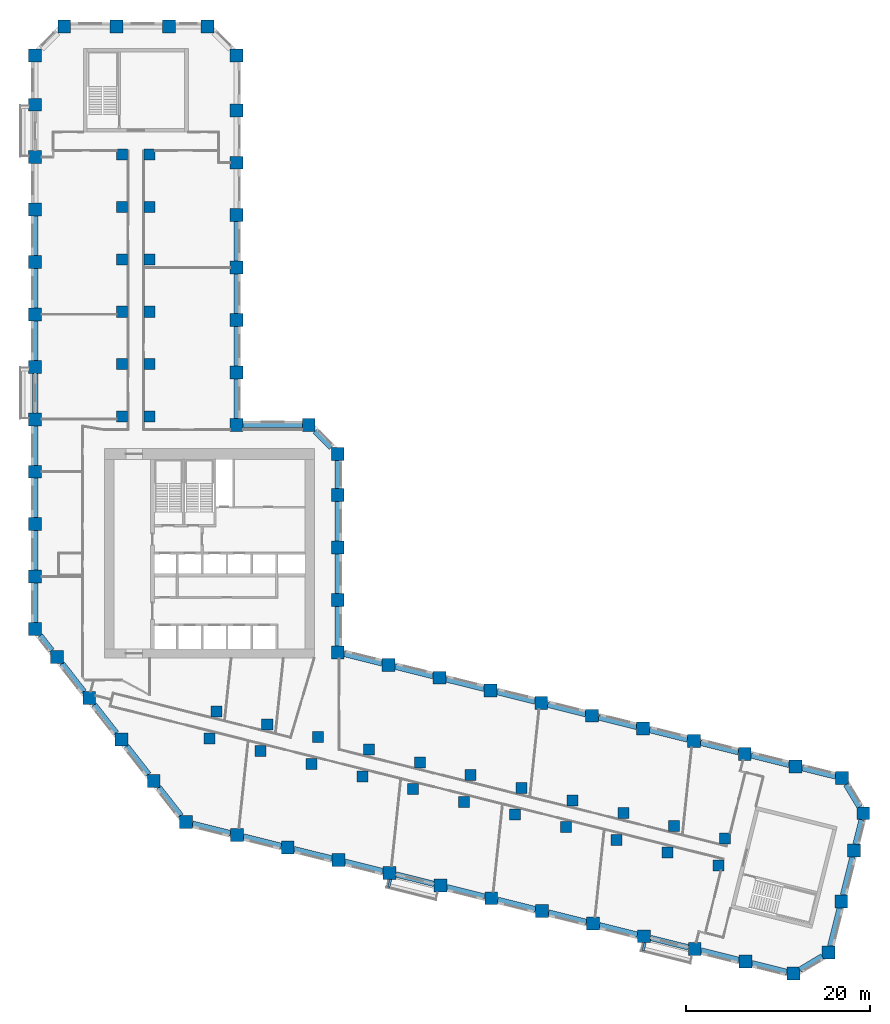
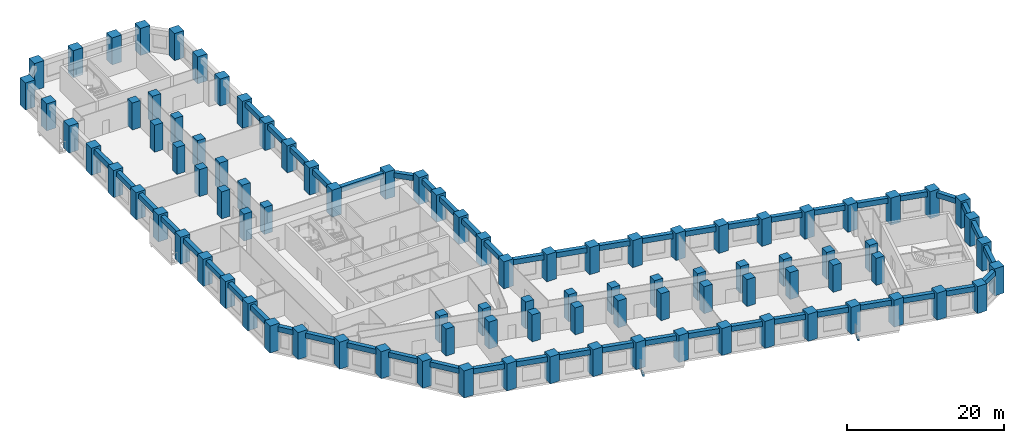
# One storey, part 1 of 11: 95 columns, 52 beams.
"""IFC4 building model written with IfcOpenShell, lengths in metres."""

from ifc_helpers import new_model, si_unit, direction, frame, origin, origin_2d, place, context, subcontext, project, spatial, rectangle, extrude, material, material_profile, profile_set, type_object, element, save


model = new_model("IFC4")

# Units and contexts
model_context = context("Model", 3, precision=1e-05, world=origin(), true_north=direction((0.0, 1.0)))
body_context = subcontext(model_context, "Body", "Model", "MODEL_VIEW")
ifc_project = project(units=[si_unit("LENGTHUNIT", "METRE"), si_unit("AREAUNIT", "SQUARE_METRE"), si_unit("VOLUMEUNIT", "CUBIC_METRE"), si_unit("PLANEANGLEUNIT", "RADIAN"), si_unit("MASSUNIT", "GRAM", prefix="KILO")], contexts=[model_context])

# Site, building, storey
site_placement = place(None, origin())
site = spatial("IfcSite", under=ifc_project, at=site_placement, CompositionType="ELEMENT")
building_placement = place(site_placement, origin())
building = spatial("IfcBuilding", under=site, at=building_placement, Name="Meshkara Civic Tower", CompositionType="ELEMENT")
storey_placement = place(building_placement, frame((0.0, 0.0, 45.60009765625)))
storey = spatial("IfcBuildingStorey", under=building, at=storey_placement, Name="L09", CompositionType="ELEMENT", Elevation=45.60009765625)

# Columns
ifc_material_1 = material(Name="Concrete C80", Category="concrete")
ifc_material_profile_1 = material_profile(ifc_material_1, rectangle(XDim=1.199951171875, YDim=1.199951171875, at=origin_2d()))
ifc_profile_set_1 = profile_set([ifc_material_profile_1], Name="Concrete C80")
column_type_1 = type_object("IfcColumnType", Name="Interior column RC 1200x1200 C80", PredefinedType="COLUMN", material=ifc_profile_set_1)
for number, where, z_axis, x_axis, name in (
    (1, (9.89990234375, 40.35009765625, 0.0), (0.0, 0.0, 1.0), (1.0, 0.0, 0.0), "Column SA1-04 L09"),
    (2, (9.89990234375, 46.050048828125, 0.0), (0.0, 0.0, 1.0), (1.0, 0.0, 0.0), "Column SA1-05 L09"),
    (3, (9.89990234375, 51.75, 0.0), (0.0, 0.0, 1.0), (1.0, 0.0, 0.0), "Column SA1-06 L09"),
    (4, (9.89990234375, 57.449951171875, 0.0), (0.0, 0.0, 1.0), (1.0, 0.0, 0.0), "Column SA1-07 L09"),
    (5, (9.89990234375, 63.14990234375, 0.0), (0.0, 0.0, 1.0), (1.0, 0.0, 0.0), "Column SA1-08 L09"),
    (6, (9.89990234375, 68.85009765625, 0.0), (0.0, 0.0, 1.0), (1.0, 0.0, 0.0), "Column SA1-09 L09"),
    (7, (12.89990234375, 40.35009765625, 0.0), (0.0, 0.0, 1.0), (1.0, 0.0, 0.0), "Column SA2-04 L09"),
    (8, (12.89990234375, 46.050048828125, 0.0), (0.0, 0.0, 1.0), (1.0, 0.0, 0.0), "Column SA2-05 L09"),
    (9, (12.89990234375, 51.75, 0.0), (0.0, 0.0, 1.0), (1.0, 0.0, 0.0), "Column SA2-06 L09"),
    (10, (12.89990234375, 57.449951171875, 0.0), (0.0, 0.0, 1.0), (1.0, 0.0, 0.0), "Column SA2-07 L09"),
    (11, (12.89990234375, 63.14990234375, 0.0), (0.0, 0.0, 1.0), (1.0, 0.0, 0.0), "Column SA2-08 L09"),
    (12, (12.89990234375, 68.85009765625, 0.0), (0.0, 0.0, 1.0), (1.0, 0.0, 0.0), "Column SA2-09 L09"),
    (13, (19.424072265625, 5.360107421875, 0.0), (0.0, 0.0, 1.0), (1.0, 0.0, 0.0), "Column SB1-00 L09"),
    (14, (24.9541015625, 3.98095703125, 0.0), (0.0, 0.0, 1.0), (1.0, 0.0, 0.0), "Column SB1-01 L09"),
    (15, (30.485107421875, 2.60205078125, 0.0), (0.0, 0.0, 1.0), (1.0, 0.0, 0.0), "Column SB1-02 L09"),
    (16, (36.01611328125, 1.222900390625, 0.0), (0.0, 0.0, 1.0), (1.0, 0.0, 0.0), "Column SB1-03 L09"),
    (17, (41.5458984375, -0.156005859375, 0.0), (0.0, 0.0, 1.0), (1.0, 0.0, 0.0), "Column SB1-04 L09"),
    (18, (47.076904296875, -1.534912109375, 0.0), (0.0, 0.0, 1.0), (1.0, 0.0, 0.0), "Column SB1-05 L09"),
    (19, (52.60791015625, -2.9140625, 0.0), (0.0, 0.0, 1.0), (1.0, 0.0, 0.0), "Column SB1-06 L09"),
    (20, (58.138916015625, -4.2919921875, 0.0), (0.0, 0.0, 1.0), (1.0, 0.0, 0.0), "Column SB1-07 L09"),
    (21, (63.6689453125, -5.6708984375, 0.0), (0.0, 0.0, 1.0), (1.0, 0.0, 0.0), "Column SB1-08 L09"),
    (22, (69.199951171875, -7.050048828125, 0.0), (0.0, 0.0, 1.0), (1.0, 0.0, 0.0), "Column SB1-09 L09"),
    (23, (74.73095703125, -8.428955078125, 0.0), (0.0, 0.0, 1.0), (1.0, 0.0, 0.0), "Column SB1-10 L09"),
    (24, (20.14892578125, 8.27099609375, 0.0), (0.0, 0.0, 1.0), (1.0, 0.0, 0.0), "Column SB2-00 L09"),
    (25, (25.679931640625, 6.89208984375, 0.0), (0.0, 0.0, 1.0), (1.0, 0.0, 0.0), "Column SB2-01 L09"),
    (26, (31.2109375, 5.512939453125, 0.0), (0.0, 0.0, 1.0), (1.0, 0.0, 0.0), "Column SB2-02 L09"),
    (27, (36.741943359375, 4.134033203125, 0.0), (0.0, 0.0, 1.0), (1.0, 0.0, 0.0), "Column SB2-03 L09"),
    (28, (42.27197265625, 2.7548828125, 0.0), (0.0, 0.0, 1.0), (1.0, 0.0, 0.0), "Column SB2-04 L09"),
    (29, (47.802978515625, 1.3759765625, 0.0), (0.0, 0.0, 1.0), (1.0, 0.0, 0.0), "Column SB2-05 L09"),
    (30, (53.333984375, -0.0029296875, 0.0), (0.0, 0.0, 1.0), (1.0, 0.0, 0.0), "Column SB2-06 L09"),
    (31, (58.864013671875, -1.382080078125, 0.0), (0.0, 0.0, 1.0), (1.0, 0.0, 0.0), "Column SB2-07 L09"),
    (32, (64.39501953125, -2.760986328125, 0.0), (0.0, 0.0, 1.0), (1.0, 0.0, 0.0), "Column SB2-08 L09"),
    (33, (69.926025390625, -4.139892578125, 0.0), (0.0, 0.0, 1.0), (1.0, 0.0, 0.0), "Column SB2-09 L09"),
    (34, (75.4560546875, -5.51806640625, 0.0), (0.0, 0.0, 1.0), (1.0, 0.0, 0.0), "Column SB2-10 L09"),
):
    element("IfcColumn", number, at=place(storey_placement, frame(where, z_axis=z_axis, x_axis=x_axis)), inside=storey, type_object=column_type_1, Name=name, PredefinedType="COLUMN", context=body_context, shape_type="SweptSolid", body=[
        extrude(rectangle(XDim=1.199951171875, YDim=1.199951171875, at=origin_2d()), origin(), (0.0, 0.0, 1.0), 4.199951171875),
    ])
ifc_material_2 = material(Name="Concrete C80", Category="concrete")
ifc_material_profile_2 = material_profile(ifc_material_2, rectangle(XDim=1.39990234375, YDim=1.39990234375, at=origin_2d()))
ifc_profile_set_2 = profile_set([ifc_material_profile_2], Name="Concrete C80")
column_type_2 = type_object("IfcColumnType", Name="Perimeter column RC 1400x1400 C80", PredefinedType="COLUMN", material=ifc_profile_set_2)
for number, where, z_axis, x_axis, name in (
    (35, (33.35009765625, 14.718994140625, 0.0), (0.0, 0.0, 1.0), (1.0, 0.0, 0.0), "Column HE00 L09"),
    (36, (33.35009765625, 20.4189453125, 0.0), (0.0, 0.0, 1.0), (1.0, 0.0, 0.0), "Column HE01 L09"),
    (37, (33.35009765625, 26.118896484375, 0.0), (0.0, 0.0, 1.0), (1.0, 0.0, 0.0), "Column HE02 L09"),
    (38, (33.35009765625, 31.819091796875, 0.0), (0.0, 0.0, 1.0), (1.0, 0.0, 0.0), "Column HE03 L09"),
    (39, (33.35009765625, 36.2939453125, 0.0), (0.0, 0.0, 1.0), (1.0, 0.0, 0.0), "Column HEE L09"),
    (40, (30.194091796875, 39.449951171875, 0.0), (0.0, 0.0, 1.0), (1.0, 0.0, 0.0), "Column HCeE L09"),
    (41, (22.35009765625, 39.449951171875, 0.0), (0.0, 0.0, 1.0), (1.0, 0.0, 0.0), "Column HN00 L09"),
    (42, (22.35009765625, 45.14990234375, 0.0), (0.0, 0.0, 1.0), (1.0, 0.0, 0.0), "Column AE01 L09"),
    (43, (22.35009765625, 50.85009765625, 0.0), (0.0, 0.0, 1.0), (1.0, 0.0, 0.0), "Column AE02 L09"),
    (44, (22.35009765625, 56.550048828125, 0.0), (0.0, 0.0, 1.0), (1.0, 0.0, 0.0), "Column AE03 L09"),
    (45, (22.35009765625, 62.25, 0.0), (0.0, 0.0, 1.0), (1.0, 0.0, 0.0), "Column AE04 L09"),
    (46, (22.35009765625, 67.949951171875, 0.0), (0.0, 0.0, 1.0), (1.0, 0.0, 0.0), "Column AE05 L09"),
    (47, (22.35009765625, 73.64990234375, 0.0), (0.0, 0.0, 1.0), (1.0, 0.0, 0.0), "Column AE06 L09"),
    (48, (22.35009765625, 79.614013671875, 0.0), (0.0, 0.0, 1.0), (1.0, 0.0, 0.0), "Column AEE L09"),
    (49, (19.194091796875, 82.77001953125, 0.0), (0.0, 0.0, 1.0), (1.0, 0.0, 0.0), "Column ATiE L09"),
    (50, (3.60595703125, 82.77001953125, 0.0), (0.0, 0.0, 1.0), (1.0, 0.0, 0.0), "Column AT00 L09"),
    (51, (9.305908203125, 82.77001953125, 0.0), (0.0, 0.0, 1.0), (1.0, 0.0, 0.0), "Column AT01 L09"),
    (52, (15.006103515625, 82.77001953125, 0.0), (0.0, 0.0, 1.0), (1.0, 0.0, 0.0), "Column AT02 L09"),
    (53, (0.449951171875, 79.614013671875, 0.0), (0.0, 0.0, 1.0), (1.0, 0.0, 0.0), "Column ATo00 L09"),
    (54, (0.449951171875, 17.2548828125, 0.0), (0.0, 0.0, 1.0), (1.0, 0.0, 0.0), "Column AW00 L09"),
    (55, (0.449951171875, 22.955078125, 0.0), (0.0, 0.0, 1.0), (1.0, 0.0, 0.0), "Column AW01 L09"),
    (56, (0.449951171875, 28.655029296875, 0.0), (0.0, 0.0, 1.0), (1.0, 0.0, 0.0), "Column AW02 L09"),
    (57, (0.449951171875, 34.35498046875, 0.0), (0.0, 0.0, 1.0), (1.0, 0.0, 0.0), "Column AW03 L09"),
    (58, (0.449951171875, 40.054931640625, 0.0), (0.0, 0.0, 1.0), (1.0, 0.0, 0.0), "Column AW04 L09"),
    (59, (0.449951171875, 45.7548828125, 0.0), (0.0, 0.0, 1.0), (1.0, 0.0, 0.0), "Column AW05 L09"),
    (60, (0.449951171875, 51.455078125, 0.0), (0.0, 0.0, 1.0), (1.0, 0.0, 0.0), "Column AW06 L09"),
    (61, (0.449951171875, 57.155029296875, 0.0), (0.0, 0.0, 1.0), (1.0, 0.0, 0.0), "Column AW07 L09"),
    (62, (0.449951171875, 62.85498046875, 0.0), (0.0, 0.0, 1.0), (1.0, 0.0, 0.0), "Column AW08 L09"),
    (63, (0.449951171875, 68.554931640625, 0.0), (0.0, 0.0, 1.0), (1.0, 0.0, 0.0), "Column AW09 L09"),
    (64, (0.449951171875, 74.2548828125, 0.0), (0.0, 0.0, 1.0), (1.0, 0.0, 0.0), "Column AW10 L09"),
    (65, (16.85107421875, -3.738037109375, 0.0), (0.0, 0.0, 1.0), (1.0, 0.0, 0.0), "Column BOW00 L09"),
    (66, (13.342041015625, 0.75390625, 0.0), (0.0, 0.0, 1.0), (1.0, 0.0, 0.0), "Column BOW01 L09"),
    (67, (9.8330078125, 5.2451171875, 0.0), (0.0, 0.0, 1.0), (1.0, 0.0, 0.0), "Column BOW02 L09"),
    (68, (6.322998046875, 9.737060546875, 0.0), (0.0, 0.0, 1.0), (1.0, 0.0, 0.0), "Column BOW03 L09"),
    (69, (2.81396484375, 14.22900390625, 0.0), (0.0, 0.0, 1.0), (1.0, 0.0, 0.0), "Column BOW04 L09"),
    (70, (22.382080078125, -5.116943359375, 0.0), (0.0, 0.0, 1.0), (1.0, 0.0, 0.0), "Column BS01 L09"),
    (71, (27.912109375, -6.49609375, 0.0), (0.0, 0.0, 1.0), (1.0, 0.0, 0.0), "Column BS02 L09"),
    (72, (33.443115234375, -7.875, 0.0), (0.0, 0.0, 1.0), (1.0, 0.0, 0.0), "Column BS03 L09"),
    (73, (38.97412109375, -9.25390625, 0.0), (0.0, 0.0, 1.0), (1.0, 0.0, 0.0), "Column BS04 L09"),
    (74, (44.5048828125, -10.632080078125, 0.0), (0.0, 0.0, 1.0), (1.0, 0.0, 0.0), "Column BS05 L09"),
    (75, (50.034912109375, -12.010986328125, 0.0), (0.0, 0.0, 1.0), (1.0, 0.0, 0.0), "Column BS06 L09"),
    (76, (55.56591796875, -13.389892578125, 0.0), (0.0, 0.0, 1.0), (1.0, 0.0, 0.0), "Column BS07 L09"),
    (77, (61.096923828125, -14.76904296875, 0.0), (0.0, 0.0, 1.0), (1.0, 0.0, 0.0), "Column BS08 L09"),
    (78, (66.626953125, -16.14794921875, 0.0), (0.0, 0.0, 1.0), (1.0, 0.0, 0.0), "Column BS09 L09"),
    (79, (72.157958984375, -17.527099609375, 0.0), (0.0, 0.0, 1.0), (1.0, 0.0, 0.0), "Column BS10 L09"),
    (80, (77.68896484375, -18.906005859375, 0.0), (0.0, 0.0, 1.0), (1.0, 0.0, 0.0), "Column BS11 L09"),
    (81, (82.887939453125, -20.201904296875, 0.0), (0.0, 0.0, 1.0), (1.0, 0.0, 0.0), "Column BSE L09"),
    (82, (86.714111328125, -17.903076171875, 0.0), (0.0, 0.0, 1.0), (1.0, 0.0, 0.0), "Column BToE L09"),
    (83, (88.093017578125, -12.3720703125, 0.0), (0.0, 0.0, 1.0), (1.0, 0.0, 0.0), "Column BT01 L09"),
    (84, (89.471923828125, -6.842041015625, 0.0), (0.0, 0.0, 1.0), (1.0, 0.0, 0.0), "Column BT02 L09"),
    (85, (90.485107421875, -2.779052734375, 0.0), (0.0, 0.0, 1.0), (1.0, 0.0, 0.0), "Column BTE L09"),
    (86, (88.18603515625, 1.0458984375, 0.0), (0.0, 0.0, 1.0), (1.0, 0.0, 0.0), "Column BTi00 L09"),
    (87, (38.881103515625, 13.340087890625, 0.0), (0.0, 0.0, 1.0), (1.0, 0.0, 0.0), "Column BN01 L09"),
    (88, (44.410888671875, 11.9609375, 0.0), (0.0, 0.0, 1.0), (1.0, 0.0, 0.0), "Column BN02 L09"),
    (89, (49.94189453125, 10.58203125, 0.0), (0.0, 0.0, 1.0), (1.0, 0.0, 0.0), "Column BN03 L09"),
    (90, (55.472900390625, 9.202880859375, 0.0), (0.0, 0.0, 1.0), (1.0, 0.0, 0.0), "Column BN04 L09"),
    (91, (61.0029296875, 7.823974609375, 0.0), (0.0, 0.0, 1.0), (1.0, 0.0, 0.0), "Column BN05 L09"),
    (92, (66.533935546875, 6.445068359375, 0.0), (0.0, 0.0, 1.0), (1.0, 0.0, 0.0), "Column BN06 L09"),
    (93, (72.06494140625, 5.06591796875, 0.0), (0.0, 0.0, 1.0), (1.0, 0.0, 0.0), "Column BN07 L09"),
    (94, (77.594970703125, 3.68701171875, 0.0), (0.0, 0.0, 1.0), (1.0, 0.0, 0.0), "Column BN08 L09"),
    (95, (83.1259765625, 2.30810546875, 0.0), (0.0, 0.0, 1.0), (1.0, 0.0, 0.0), "Column BN09 L09"),
):
    element("IfcColumn", number, at=place(storey_placement, frame(where, z_axis=z_axis, x_axis=x_axis)), inside=storey, type_object=column_type_2, Name=name, PredefinedType="COLUMN", context=body_context, shape_type="SweptSolid", body=[
        extrude(rectangle(XDim=1.39990234375, YDim=1.39990234375, at=origin_2d()), origin(), (0.0, 0.0, 1.0), 4.199951171875),
    ])

# Beams
ifc_material_3 = material(Name="Concrete C50", Category="concrete")
ifc_material_profile_3 = material_profile(ifc_material_3, rectangle(XDim=0.25, YDim=0.39990234375, at=origin_2d()))
ifc_profile_set_3 = profile_set([ifc_material_profile_3], Name="Concrete C50")
beam_type_1 = type_object("IfcBeamType", Name="Balcony bracket beam RC 250x400 C50", PredefinedType="BEAM", material=ifc_profile_set_3)
beam_1_placement = place(storey_placement, frame((39.110107421875, -9.948974609375, -0.5), z_axis=(-0.242472373608, -0.970158310812, 0.0), x_axis=(0.970158310812, -0.242472373608, 0.0)))
element("IfcBeam", 96, at=beam_1_placement, inside=storey, type_object=beam_type_1, Name="Balcony bracket beam", PredefinedType="BEAM", context=body_context, shape_type="SweptSolid", body=[
    extrude(rectangle(XDim=0.25, YDim=0.39990234375, at=origin_2d()), origin(), (0.0, 0.0, 1.0), 0.908203125),
])
beam_2_placement = place(storey_placement, frame((66.762939453125, -16.843017578125, -0.5), z_axis=(-0.241966881417, -0.970284508944, 0.0), x_axis=(0.970284508944, -0.241966881417, 0.0)))
element("IfcBeam", 97, at=beam_2_placement, inside=storey, type_object=beam_type_1, Name="Balcony bracket beam", PredefinedType="BEAM", context=body_context, shape_type="SweptSolid", body=[
    extrude(rectangle(XDim=0.25, YDim=0.39990234375, at=origin_2d()), origin(), (0.0, 0.0, 1.0), 0.9091796875),
])
ifc_material_4 = material(Name="Concrete C70", Category="concrete")
ifc_material_profile_4 = material_profile(ifc_material_4, rectangle(XDim=0.60009765625, YDim=0.800048828125, at=origin_2d()))
ifc_profile_set_4 = profile_set([ifc_material_profile_4], Name="Concrete C70")
beam_type_2 = type_object("IfcBeamType", Name="Spandrel beam RC 600x800 C70", PredefinedType="BEAM", material=ifc_profile_set_4)
beam_3_placement = place(storey_placement, frame((82.430908203125, 2.481201171875, 3.5), z_axis=(-0.97029374225, 0.241929852955, 0.0), x_axis=(-0.241929852955, -0.97029374225, 0.0)))
element("IfcBeam", 98, at=beam_3_placement, inside=storey, type_object=beam_type_2, Name="Spandrel beam BN08-BN09", PredefinedType="BEAM", context=body_context, shape_type="SweptSolid", body=[
    extrude(rectangle(XDim=0.60009765625, YDim=0.800048828125, at=origin_2d()), origin(), (0.0, 0.0, 1.0), 4.267578125),
])
beam_4_placement = place(storey_placement, frame((76.89990234375, 3.8603515625, 3.5), z_axis=(-0.970293777887, 0.241929710026, 0.0), x_axis=(-0.241929710026, -0.970293777887, 0.0)))
element("IfcBeam", 99, at=beam_4_placement, inside=storey, type_object=beam_type_2, Name="Spandrel beam BN07-BN08", PredefinedType="BEAM", context=body_context, shape_type="SweptSolid", body=[
    extrude(rectangle(XDim=0.60009765625, YDim=0.800048828125, at=origin_2d()), origin(), (0.0, 0.0, 1.0), 4.2666015625),
])
for number, where, z_axis, x_axis, name in (
    (100, (71.369873046875, 5.2392578125, 3.5), (-0.97029374225, 0.241929852955, 0.0), (-0.241929852955, -0.97029374225, 0.0), "Spandrel beam BN06-BN07"),
    (101, (65.8388671875, 6.618408203125, 3.5), (-0.970307169965, 0.241875992843, 0.0), (-0.241875992843, -0.970307169965, 0.0), "Spandrel beam BN05-BN06"),
):
    element("IfcBeam", number, at=place(storey_placement, frame(where, z_axis=z_axis, x_axis=x_axis)), inside=storey, type_object=beam_type_2, Name=name, PredefinedType="BEAM", context=body_context, shape_type="SweptSolid", body=[
        extrude(rectangle(XDim=0.60009765625, YDim=0.800048828125, at=origin_2d()), origin(), (0.0, 0.0, 1.0), 4.267578125),
    ])
beam_5_placement = place(storey_placement, frame((60.307861328125, 7.997314453125, 3.5), z_axis=(-0.970276993533, 0.241997016139, 0.0), x_axis=(-0.241997016139, -0.970276993533, 0.0)))
element("IfcBeam", 102, at=beam_5_placement, inside=storey, type_object=beam_type_2, Name="Spandrel beam BN04-BN05", PredefinedType="BEAM", context=body_context, shape_type="SweptSolid", body=[
    extrude(rectangle(XDim=0.60009765625, YDim=0.800048828125, at=origin_2d()), origin(), (0.0, 0.0, 1.0), 4.266357421875),
])
for number, where, z_axis, x_axis, name in (
    (103, (54.77783203125, 9.376220703125, 3.5), (-0.970290393622, 0.241943282702, 0.0), (-0.241943282702, -0.970290393622, 0.0), "Spandrel beam BN03-BN04"),
    (104, (49.246826171875, 10.75537109375, 3.5), (-0.970303822782, 0.241889419972, 0.0), (-0.241889419972, -0.970303822782, 0.0), "Spandrel beam BN02-BN03"),
):
    element("IfcBeam", number, at=place(storey_placement, frame(where, z_axis=z_axis, x_axis=x_axis)), inside=storey, type_object=beam_type_2, Name=name, PredefinedType="BEAM", context=body_context, shape_type="SweptSolid", body=[
        extrude(rectangle(XDim=0.60009765625, YDim=0.800048828125, at=origin_2d()), origin(), (0.0, 0.0, 1.0), 4.267333984375),
    ])
beam_6_placement = place(storey_placement, frame((43.7158203125, 12.13427734375, 3.5), z_axis=(-0.970276993533, 0.241997016139, 0.0), x_axis=(-0.241997016139, -0.970276993533, 0.0)))
element("IfcBeam", 105, at=beam_6_placement, inside=storey, type_object=beam_type_2, Name="Spandrel beam BN01-BN02", PredefinedType="BEAM", context=body_context, shape_type="SweptSolid", body=[
    extrude(rectangle(XDim=0.60009765625, YDim=0.800048828125, at=origin_2d()), origin(), (0.0, 0.0, 1.0), 4.266357421875),
])
beam_7_placement = place(storey_placement, frame((38.185791015625, 13.51318359375, 3.5), z_axis=(-0.970290393622, 0.241943282702, 0.0), x_axis=(-0.241943282702, -0.970290393622, 0.0)))
element("IfcBeam", 106, at=beam_7_placement, inside=storey, type_object=beam_type_2, Name="Spandrel beam BN01-HE00", PredefinedType="BEAM", context=body_context, shape_type="SweptSolid", body=[
    extrude(rectangle(XDim=0.60009765625, YDim=0.800048828125, at=origin_2d()), origin(), (0.0, 0.0, 1.0), 4.267333984375),
])
for number, where, z_axis, x_axis, name in (
    (107, (33.35009765625, 15.4140625, 3.5), (0.0, 1.0, 0.0), (-1.0, 0.0, 0.0), "Spandrel beam HE00-HE01"),
    (108, (33.35009765625, 21.114013671875, 3.5), (0.0, 1.0, 0.0), (-1.0, 0.0, 0.0), "Spandrel beam HE01-HE02"),
    (109, (33.35009765625, 26.81396484375, 3.5), (0.0, 1.0, 0.0), (-1.0, 0.0, 0.0), "Spandrel beam HE02-HE03"),
):
    element("IfcBeam", number, at=place(storey_placement, frame(where, z_axis=z_axis, x_axis=x_axis)), inside=storey, type_object=beam_type_2, Name=name, PredefinedType="BEAM", context=body_context, shape_type="SweptSolid", body=[
        extrude(rectangle(XDim=0.60009765625, YDim=0.800048828125, at=origin_2d()), origin(), (0.0, 0.0, 1.0), 4.31005859375),
    ])
beam_8_placement = place(storey_placement, frame((33.35009765625, 32.513916015625, 3.5), z_axis=(0.0, 1.0, 0.0), x_axis=(-1.0, 0.0, 0.0)))
element("IfcBeam", 110, at=beam_8_placement, inside=storey, type_object=beam_type_2, Name="Spandrel beam HE03-HEE", PredefinedType="BEAM", context=body_context, shape_type="SweptSolid", body=[
    extrude(rectangle(XDim=0.60009765625, YDim=0.800048828125, at=origin_2d()), origin(), (0.0, 0.0, 1.0), 3.085205078125),
])
beam_9_placement = place(storey_placement, frame((32.653564453125, 36.990478515625, 3.5), z_axis=(-0.707155737934, 0.70705782105, 0.0), x_axis=(-0.70705782105, -0.707155737934, 0.0)))
element("IfcBeam", 111, at=beam_9_placement, inside=storey, type_object=beam_type_2, Name="Spandrel beam HCeE-HEE", PredefinedType="BEAM", context=body_context, shape_type="SweptSolid", body=[
    extrude(rectangle(XDim=0.60009765625, YDim=0.800048828125, at=origin_2d()), origin(), (0.0, 0.0, 1.0), 2.493408203125),
])
beam_10_placement = place(storey_placement, frame((29.4990234375, 39.449951171875, 3.5), z_axis=(-1.0, 0.0, 0.0), x_axis=(0.0, -1.0, 0.0)))
element("IfcBeam", 112, at=beam_10_placement, inside=storey, type_object=beam_type_2, Name="Spandrel beam HCeE-HN00", PredefinedType="BEAM", context=body_context, shape_type="SweptSolid", body=[
    extrude(rectangle(XDim=0.60009765625, YDim=0.800048828125, at=origin_2d()), origin(), (0.0, 0.0, 1.0), 6.4541015625),
])
for number, where, z_axis, x_axis, name in (
    (113, (22.35009765625, 40.14501953125, 3.5), (0.0, 1.0, 0.0), (-1.0, 0.0, 0.0), "Spandrel beam AE01-HN00"),
    (114, (22.35009765625, 45.844970703125, 3.5), (0.0, 1.0, 0.0), (-1.0, 0.0, 0.0), "Spandrel beam AE01-AE02"),
    (115, (22.35009765625, 51.544921875, 3.5), (0.0, 1.0, 0.0), (-1.0, 0.0, 0.0), "Spandrel beam AE02-AE03"),
):
    element("IfcBeam", number, at=place(storey_placement, frame(where, z_axis=z_axis, x_axis=x_axis)), inside=storey, type_object=beam_type_2, Name=name, PredefinedType="BEAM", context=body_context, shape_type="SweptSolid", body=[
        extrude(rectangle(XDim=0.60009765625, YDim=0.800048828125, at=origin_2d()), origin(), (0.0, 0.0, 1.0), 4.31005859375),
    ])
for number, where, z_axis, x_axis, name in (
    (116, (22.35009765625, 57.2451171875, 3.5), (0.0, 1.0, 0.0), (-1.0, 0.0, 0.0), "Spandrel beam AE03-AE04"),
    (117, (0.449951171875, 62.159912109375, 3.5), (0.0, -1.0, 0.0), (1.0, 0.0, 0.0), "Spandrel beam AW07-AW08"),
):
    element("IfcBeam", number, at=place(storey_placement, frame(where, z_axis=z_axis, x_axis=x_axis)), inside=storey, type_object=beam_type_2, Name=name, PredefinedType="BEAM", context=body_context, shape_type="SweptSolid", body=[
        extrude(rectangle(XDim=0.60009765625, YDim=0.800048828125, at=origin_2d()), origin(), (0.0, 0.0, 1.0), 4.309814453125),
    ])
for number, where, z_axis, x_axis, name in (
    (118, (0.449951171875, 56.4599609375, 3.5), (0.0, -1.0, 0.0), (1.0, 0.0, 0.0), "Spandrel beam AW06-AW07"),
    (119, (0.449951171875, 50.760009765625, 3.5), (0.0, -1.0, 0.0), (1.0, 0.0, 0.0), "Spandrel beam AW05-AW06"),
    (120, (0.449951171875, 45.06005859375, 3.5), (0.0, -1.0, 0.0), (1.0, 0.0, 0.0), "Spandrel beam AW04-AW05"),
    (121, (0.449951171875, 39.360107421875, 3.5), (0.0, -1.0, 0.0), (1.0, 0.0, 0.0), "Spandrel beam AW03-AW04"),
):
    element("IfcBeam", number, at=place(storey_placement, frame(where, z_axis=z_axis, x_axis=x_axis)), inside=storey, type_object=beam_type_2, Name=name, PredefinedType="BEAM", context=body_context, shape_type="SweptSolid", body=[
        extrude(rectangle(XDim=0.60009765625, YDim=0.800048828125, at=origin_2d()), origin(), (0.0, 0.0, 1.0), 4.31005859375),
    ])
beam_11_placement = place(storey_placement, frame((0.449951171875, 33.659912109375, 3.5), z_axis=(0.0, -1.0, 0.0), x_axis=(1.0, 0.0, 0.0)))
element("IfcBeam", 122, at=beam_11_placement, inside=storey, type_object=beam_type_2, Name="Spandrel beam AW02-AW03", PredefinedType="BEAM", context=body_context, shape_type="SweptSolid", body=[
    extrude(rectangle(XDim=0.60009765625, YDim=0.800048828125, at=origin_2d()), origin(), (0.0, 0.0, 1.0), 4.309814453125),
])
for number, where, z_axis, x_axis, name in (
    (123, (0.449951171875, 27.9599609375, 3.5), (0.0, -1.0, 0.0), (1.0, 0.0, 0.0), "Spandrel beam AW01-AW02"),
    (124, (0.449951171875, 22.260009765625, 3.5), (0.0, -1.0, 0.0), (1.0, 0.0, 0.0), "Spandrel beam AW00-AW01"),
):
    element("IfcBeam", number, at=place(storey_placement, frame(where, z_axis=z_axis, x_axis=x_axis)), inside=storey, type_object=beam_type_2, Name=name, PredefinedType="BEAM", context=body_context, shape_type="SweptSolid", body=[
        extrude(rectangle(XDim=0.60009765625, YDim=0.800048828125, at=origin_2d()), origin(), (0.0, 0.0, 1.0), 4.31005859375),
    ])
beam_12_placement = place(storey_placement, frame((0.993896484375, 16.558837890625, 3.5), z_axis=(0.615634901283, -0.788031514803, 0.0), x_axis=(0.788031514803, 0.615634901283, 0.0)))
element("IfcBeam", 125, at=beam_12_placement, inside=storey, type_object=beam_type_2, Name="Spandrel beam AW00-BOW04", PredefinedType="BEAM", context=body_context, shape_type="SweptSolid", body=[
    extrude(rectangle(XDim=0.60009765625, YDim=0.800048828125, at=origin_2d()), origin(), (0.0, 0.0, 1.0), 2.0732421875),
])
beam_13_placement = place(storey_placement, frame((3.357666015625, 13.532958984375, 3.5), z_axis=(0.615623566685, -0.788040369614, 0.0), x_axis=(0.788040369614, 0.615623566685, 0.0)))
element("IfcBeam", 126, at=beam_13_placement, inside=storey, type_object=beam_type_2, Name="Spandrel beam BOW03-BOW04", PredefinedType="BEAM", context=body_context, shape_type="SweptSolid", body=[
    extrude(rectangle(XDim=0.60009765625, YDim=0.800048828125, at=origin_2d()), origin(), (0.0, 0.0, 1.0), 3.93359375),
])
beam_14_placement = place(storey_placement, frame((6.866943359375, 9.041015625, 3.5), z_axis=(0.61570064363, -0.787980150406, 0.0), x_axis=(0.787980150406, 0.61570064363, 0.0)))
element("IfcBeam", 127, at=beam_14_placement, inside=storey, type_object=beam_type_2, Name="Spandrel beam BOW02-BOW03", PredefinedType="BEAM", context=body_context, shape_type="SweptSolid", body=[
    extrude(rectangle(XDim=0.60009765625, YDim=0.800048828125, at=origin_2d()), origin(), (0.0, 0.0, 1.0), 3.933837890625),
])
beam_15_placement = place(storey_placement, frame((10.376953125, 4.548828125, 3.5), z_axis=(0.615697051917, -0.787982956834, 0.0), x_axis=(0.787982956834, 0.615697051917, 0.0)))
element("IfcBeam", 128, at=beam_15_placement, inside=storey, type_object=beam_type_2, Name="Spandrel beam BOW01-BOW02", PredefinedType="BEAM", context=body_context, shape_type="SweptSolid", body=[
    extrude(rectangle(XDim=0.60009765625, YDim=0.800048828125, at=origin_2d()), origin(), (0.0, 0.0, 1.0), 3.932373046875),
])
beam_16_placement = place(storey_placement, frame((13.8857421875, 0.057861328125, 3.5), z_axis=(0.615623566685, -0.788040369614, 0.0), x_axis=(0.788040369614, 0.615623566685, 0.0)))
element("IfcBeam", 129, at=beam_16_placement, inside=storey, type_object=beam_type_2, Name="Spandrel beam BOW00-BOW01", PredefinedType="BEAM", context=body_context, shape_type="SweptSolid", body=[
    extrude(rectangle(XDim=0.60009765625, YDim=0.800048828125, at=origin_2d()), origin(), (0.0, 0.0, 1.0), 3.93359375),
])
beam_17_placement = place(storey_placement, frame((17.546142578125, -3.911376953125, 3.5), z_axis=(0.970307169965, -0.241875992843, 0.0), x_axis=(0.241875992843, 0.970307169965, 0.0)))
element("IfcBeam", 130, at=beam_17_placement, inside=storey, type_object=beam_type_2, Name="Spandrel beam BOW00-BS01", PredefinedType="BEAM", context=body_context, shape_type="SweptSolid", body=[
    extrude(rectangle(XDim=0.60009765625, YDim=0.800048828125, at=origin_2d()), origin(), (0.0, 0.0, 1.0), 4.267578125),
])
beam_18_placement = place(storey_placement, frame((23.0771484375, -5.290283203125, 3.5), z_axis=(0.970276993533, -0.241997016139, 0.0), x_axis=(0.241997016139, 0.970276993533, 0.0)))
element("IfcBeam", 131, at=beam_18_placement, inside=storey, type_object=beam_type_2, Name="Spandrel beam BS01-BS02", PredefinedType="BEAM", context=body_context, shape_type="SweptSolid", body=[
    extrude(rectangle(XDim=0.60009765625, YDim=0.800048828125, at=origin_2d()), origin(), (0.0, 0.0, 1.0), 4.266357421875),
])
for number, where, z_axis, x_axis, name in (
    (132, (28.607177734375, -6.669189453125, 3.5), (0.970290393622, -0.241943282702, 0.0), (0.241943282702, 0.970290393622, 0.0), "Spandrel beam BS02-BS03"),
    (133, (34.13818359375, -8.04833984375, 3.5), (0.970290393622, -0.241943282702, 0.0), (0.241943282702, 0.970290393622, 0.0), "Spandrel beam BS03-BS04"),
):
    element("IfcBeam", number, at=place(storey_placement, frame(where, z_axis=z_axis, x_axis=x_axis)), inside=storey, type_object=beam_type_2, Name=name, PredefinedType="BEAM", context=body_context, shape_type="SweptSolid", body=[
        extrude(rectangle(XDim=0.60009765625, YDim=0.800048828125, at=origin_2d()), origin(), (0.0, 0.0, 1.0), 4.267333984375),
    ])
beam_19_placement = place(storey_placement, frame((39.669189453125, -9.42724609375, 3.5), z_axis=(0.97034409455, -0.241727818365, 0.0), x_axis=(0.241727818365, 0.97034409455, 0.0)))
element("IfcBeam", 134, at=beam_19_placement, inside=storey, type_object=beam_type_2, Name="Spandrel beam BS04-BS05", PredefinedType="BEAM", context=body_context, shape_type="SweptSolid", body=[
    extrude(rectangle(XDim=0.60009765625, YDim=0.800048828125, at=origin_2d()), origin(), (0.0, 0.0, 1.0), 4.26708984375),
])
beam_20_placement = place(storey_placement, frame((45.2001953125, -10.805419921875, 3.5), z_axis=(0.970290428474, -0.241943142934, 0.0), x_axis=(0.241943142934, 0.970290428474, 0.0)))
element("IfcBeam", 135, at=beam_20_placement, inside=storey, type_object=beam_type_2, Name="Spandrel beam BS05-BS06", PredefinedType="BEAM", context=body_context, shape_type="SweptSolid", body=[
    extrude(rectangle(XDim=0.60009765625, YDim=0.800048828125, at=origin_2d()), origin(), (0.0, 0.0, 1.0), 4.266357421875),
])
for number, where, z_axis, x_axis, name in (
    (136, (50.72998046875, -12.184326171875, 3.5), (0.97029374225, -0.241929852955, 0.0), (0.241929852955, 0.97029374225, 0.0), "Spandrel beam BS06-BS07"),
    (137, (56.260986328125, -13.563232421875, 3.5), (0.97029374225, -0.241929852955, 0.0), (0.241929852955, 0.97029374225, 0.0), "Spandrel beam BS07-BS08"),
):
    element("IfcBeam", number, at=place(storey_placement, frame(where, z_axis=z_axis, x_axis=x_axis)), inside=storey, type_object=beam_type_2, Name=name, PredefinedType="BEAM", context=body_context, shape_type="SweptSolid", body=[
        extrude(rectangle(XDim=0.60009765625, YDim=0.800048828125, at=origin_2d()), origin(), (0.0, 0.0, 1.0), 4.267578125),
    ])
beam_21_placement = place(storey_placement, frame((61.7919921875, -14.9423828125, 3.5), z_axis=(0.970293777887, -0.241929710026, 0.0), x_axis=(0.241929710026, 0.970293777887, 0.0)))
element("IfcBeam", 138, at=beam_21_placement, inside=storey, type_object=beam_type_2, Name="Spandrel beam BS08-BS09", PredefinedType="BEAM", context=body_context, shape_type="SweptSolid", body=[
    extrude(rectangle(XDim=0.60009765625, YDim=0.800048828125, at=origin_2d()), origin(), (0.0, 0.0, 1.0), 4.2666015625),
])
for number, where, z_axis, x_axis, name in (
    (139, (67.322021484375, -16.3212890625, 3.5), (0.97029374225, -0.241929852955, 0.0), (0.241929852955, 0.97029374225, 0.0), "Spandrel beam BS09-BS10"),
    (140, (72.85302734375, -17.7001953125, 3.5), (0.97029374225, -0.241929852955, 0.0), (0.241929852955, 0.97029374225, 0.0), "Spandrel beam BS10-BS11"),
):
    element("IfcBeam", number, at=place(storey_placement, frame(where, z_axis=z_axis, x_axis=x_axis)), inside=storey, type_object=beam_type_2, Name=name, PredefinedType="BEAM", context=body_context, shape_type="SweptSolid", body=[
        extrude(rectangle(XDim=0.60009765625, YDim=0.800048828125, at=origin_2d()), origin(), (0.0, 0.0, 1.0), 4.267578125),
    ])
beam_22_placement = place(storey_placement, frame((78.384033203125, -19.079345703125, 3.5), z_axis=(0.970306910921, -0.241877032022, 0.0), x_axis=(0.241877032022, 0.970306910921, 0.0)))
element("IfcBeam", 141, at=beam_22_placement, inside=storey, type_object=beam_type_2, Name="Spandrel beam BS11-BSE", PredefinedType="BEAM", context=body_context, shape_type="SweptSolid", body=[
    extrude(rectangle(XDim=0.60009765625, YDim=0.800048828125, at=origin_2d()), origin(), (0.0, 0.0, 1.0), 3.92529296875),
])
beam_23_placement = place(storey_placement, frame((83.583740234375, -19.783935546875, 3.5), z_axis=(0.857159031547, 0.515051836846, 0.0), x_axis=(-0.515051836846, 0.857159031547, 0.0)))
element("IfcBeam", 142, at=beam_23_placement, inside=storey, type_object=beam_type_2, Name="Spandrel beam BSE-BToE", PredefinedType="BEAM", context=body_context, shape_type="SweptSolid", body=[
    extrude(rectangle(XDim=0.60009765625, YDim=0.800048828125, at=origin_2d()), origin(), (0.0, 0.0, 1.0), 2.84033203125),
])
beam_24_placement = place(storey_placement, frame((86.88720703125, -17.2080078125, 3.5), z_axis=(0.241929852955, 0.97029374225, 0.0), x_axis=(-0.97029374225, 0.241929852955, 0.0)))
element("IfcBeam", 143, at=beam_24_placement, inside=storey, type_object=beam_type_2, Name="Spandrel beam BT01-BToE", PredefinedType="BEAM", context=body_context, shape_type="SweptSolid", body=[
    extrude(rectangle(XDim=0.60009765625, YDim=0.800048828125, at=origin_2d()), origin(), (0.0, 0.0, 1.0), 4.267578125),
])
beam_25_placement = place(storey_placement, frame((88.266357421875, -11.677001953125, 3.5), z_axis=(0.241929710026, 0.970293777887, 0.0), x_axis=(-0.970293777887, 0.241929710026, 0.0)))
element("IfcBeam", 144, at=beam_25_placement, inside=storey, type_object=beam_type_2, Name="Spandrel beam BT01-BT02", PredefinedType="BEAM", context=body_context, shape_type="SweptSolid", body=[
    extrude(rectangle(XDim=0.60009765625, YDim=0.800048828125, at=origin_2d()), origin(), (0.0, 0.0, 1.0), 4.2666015625),
])
beam_26_placement = place(storey_placement, frame((89.645263671875, -6.14697265625, 3.5), z_axis=(0.241951685637, 0.9702882983, 0.0), x_axis=(-0.9702882983, 0.241951685637, 0.0)))
element("IfcBeam", 145, at=beam_26_placement, inside=storey, type_object=beam_type_2, Name="Spandrel beam BT02-BTE", PredefinedType="BEAM", context=body_context, shape_type="SweptSolid", body=[
    extrude(rectangle(XDim=0.60009765625, YDim=0.800048828125, at=origin_2d()), origin(), (0.0, 0.0, 1.0), 2.754638671875),
])
beam_27_placement = place(storey_placement, frame((90.06689453125, -2.083251953125, 3.5), z_axis=(-0.515140502895, 0.85710574743, 0.0), x_axis=(-0.85710574743, -0.515140502895, 0.0)))
element("IfcBeam", 146, at=beam_27_placement, inside=storey, type_object=beam_type_2, Name="Spandrel beam BTE-BTi00", PredefinedType="BEAM", context=body_context, shape_type="SweptSolid", body=[
    extrude(rectangle(XDim=0.60009765625, YDim=0.800048828125, at=origin_2d()), origin(), (0.0, 0.0, 1.0), 2.83935546875),
])
beam_28_placement = place(storey_placement, frame((87.490966796875, 1.219482421875, 3.5), z_axis=(-0.97029418893, 0.241928061476, 0.0), x_axis=(-0.241928061476, -0.97029418893, 0.0)))
element("IfcBeam", 147, at=beam_28_placement, inside=storey, type_object=beam_type_2, Name="Spandrel beam BN09-BTi00", PredefinedType="BEAM", context=body_context, shape_type="SweptSolid", body=[
    extrude(rectangle(XDim=0.60009765625, YDim=0.800048828125, at=origin_2d()), origin(), (0.0, 0.0, 1.0), 3.7822265625),
])

save(model, "model.ifc")
